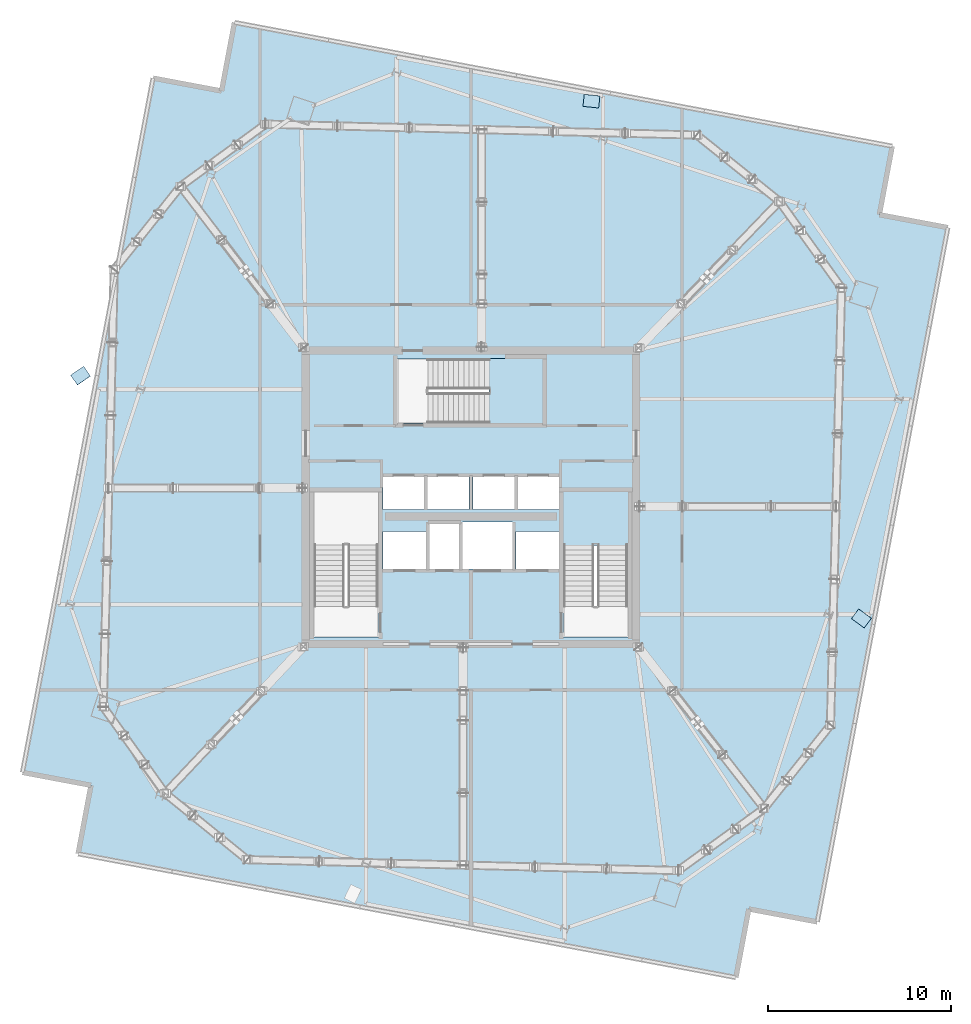
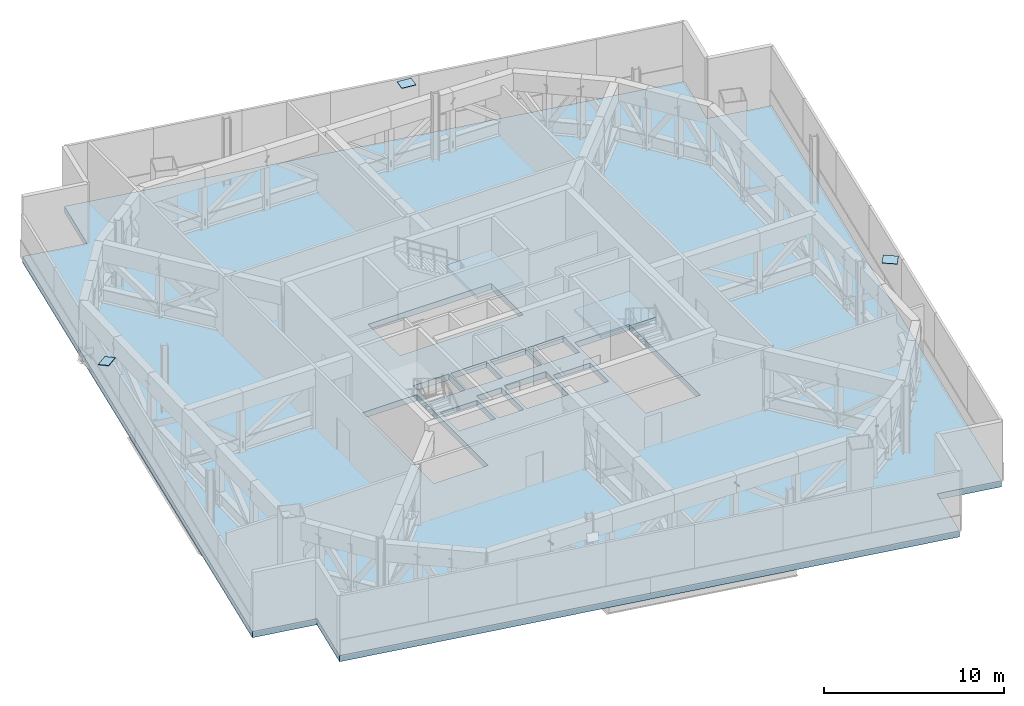
# One storey, part 6 of 15: 3 plates, 3 slabs, 2 elements without a shape of their own.
"""IFC4 building model written with IfcOpenShell, lengths in metres."""

from ifc_helpers import new_model, si_unit, direction, frame, origin, origin_2d, place, context, subcontext, project, spatial, polyline, rectangle, outline, extrude, source, transform, mapped, material, layer, layer_set, type_object, element, aggregate, save


model = new_model("IFC4")

# Units and contexts
model_context = context("Model", 3, precision=1e-05, world=origin(), true_north=direction((0.0, 1.0)))
body_context = subcontext(model_context, "Body", "Model", "MODEL_VIEW")
ifc_project = project(units=[si_unit("LENGTHUNIT", "METRE"), si_unit("AREAUNIT", "SQUARE_METRE"), si_unit("VOLUMEUNIT", "CUBIC_METRE"), si_unit("PLANEANGLEUNIT", "RADIAN"), si_unit("MASSUNIT", "GRAM", prefix="KILO")], contexts=[model_context])

# Site, building, storey
site_placement = place(None, origin())
site = spatial("IfcSite", under=ifc_project, at=site_placement, CompositionType="ELEMENT")
building_placement = place(site_placement, origin())
building = spatial("IfcBuilding", under=site, at=building_placement, Name="Haldenkirk Collegiate Tower", CompositionType="ELEMENT")
storey_placement = place(building_placement, frame((0.0, 0.0, 293.699951171875)))
storey = spatial("IfcBuildingStorey", under=building, at=storey_placement, Name="L74", CompositionType="ELEMENT", Elevation=293.699951171875)

# Slab
ifc_material_1 = material(Name="Concrete f'c 40 MPa", Category="concrete")
ifc_layer_1 = layer(ifc_material_1, 0.409912109375)
ifc_layer_set_1 = layer_set([ifc_layer_1], Name="Concrete f'c 40 MPa")
slab_type_1 = type_object("IfcSlabType", Name="SLB-FLR-410", PredefinedType="FLOOR", material=ifc_layer_set_1)
slab_1_placement = place(storey_placement, frame((0.0, 0.0, -0.409912109375)))
element("IfcSlab", 1, at=slab_1_placement, inside=storey, type_object=slab_type_1, Name="L74 composite structural floor slab", PredefinedType="FLOOR", context=body_context, shape_type="SweptSolid", body=[
    extrude(outline(polyline([(54.874267578125, 2.86328125), (61.989501953125, 40.7001953125), (58.2548828125, 41.40234375), (58.95703125, 45.136962890625), (23.1103515625, 51.8779296875), (22.408203125, 48.143310546875), (18.673583984375, 48.845703125), (11.55859375, 11.0087890625), (15.29296875, 10.306396484375), (14.5908203125, 6.572021484375), (50.4375, -0.1689453125), (51.1396484375, 3.565673828125), (54.874267578125, 2.86328125)]), holes=[polyline([(27.449951171875, 18.39990234375), (30.949951171875, 18.39990234375), (30.949951171875, 26.300048828125), (27.449951171875, 26.300048828125), (27.449951171875, 18.39990234375)]), polyline([(41.050048828125, 18.39990234375), (44.550048828125, 18.39990234375), (44.550048828125, 26.300048828125), (41.050048828125, 26.300048828125), (41.050048828125, 18.39990234375)]), polyline([(32.0, 30.050048828125), (39.89990234375, 30.050048828125), (39.89990234375, 33.550048828125), (32.0, 33.550048828125), (32.0, 30.050048828125)]), polyline([(33.75, 22.10009765625), (35.35009765625, 22.10009765625), (35.35009765625, 24.550048828125), (33.75, 24.550048828125), (33.75, 22.10009765625)]), polyline([(31.199951171875, 25.35009765625), (33.47998046875, 25.35009765625), (33.47998046875, 27.14990234375), (31.199951171875, 27.14990234375), (31.199951171875, 25.35009765625)]), polyline([(33.60009765625, 25.35009765625), (35.8798828125, 25.35009765625), (35.8798828125, 27.14990234375), (33.60009765625, 27.14990234375), (33.60009765625, 25.35009765625)]), polyline([(36.1201171875, 25.35009765625), (38.39990234375, 25.35009765625), (38.39990234375, 27.14990234375), (36.1201171875, 27.14990234375), (36.1201171875, 25.35009765625)]), polyline([(38.52001953125, 25.35009765625), (40.800048828125, 25.35009765625), (40.800048828125, 27.14990234375), (38.52001953125, 27.14990234375), (38.52001953125, 25.35009765625)]), polyline([(31.199951171875, 22.10009765625), (33.550048828125, 22.10009765625), (33.550048828125, 24.14990234375), (31.199951171875, 24.14990234375), (31.199951171875, 22.10009765625)]), polyline([(38.449951171875, 22.10009765625), (40.800048828125, 22.10009765625), (40.800048828125, 24.14990234375), (38.449951171875, 24.14990234375), (38.449951171875, 22.10009765625)]), polyline([(35.550048828125, 22.10009765625), (38.25, 22.10009765625), (38.25, 24.64990234375), (35.550048828125, 24.64990234375), (35.550048828125, 22.10009765625)])]), origin(), (0.0, 0.0, 1.0), 0.409912109375),
])

# Stair, slab
stair_type = type_object("IfcStairType", Name="STR-DOGLEG-1650", PredefinedType="HALF_TURN_STAIR", material=ifc_material_1)
stair_1_placement = place(storey_placement, origin())
stair_1 = element("IfcStair", 2, at=stair_1_placement, inside=storey, type_object=stair_type, Name="L74 Core Exit Stair ST-2", PredefinedType="HALF_TURN_STAIR")
ifc_layer_2 = layer(ifc_material_1, 0.199951171875)
ifc_layer_set_2 = layer_set([ifc_layer_2], Name="Concrete f'c 40 MPa")
slab_type_2 = type_object("IfcSlabType", Name="SLB-LANDING-200", PredefinedType="LANDING", material=ifc_layer_set_2)
slab_2_placement = place(storey_placement, frame((0.0, 0.0, 2.050048828125)))
slab_2 = element("IfcSlab", 3, at=slab_2_placement, type_object=slab_type_2, Name="ST-2 landing 1", PredefinedType="LANDING", context=body_context, shape_type="SweptSolid", body=[
    extrude(outline(polyline([(44.574951171875, 23.385009765625), (41.02490234375, 23.385009765625), (41.02490234375, 26.324951171875), (44.574951171875, 26.324951171875), (44.574951171875, 23.385009765625)])), origin(), (0.0, 0.0, 1.0), 0.199951171875),
])
aggregate(stair_1, [slab_2])

stair_2_placement = place(storey_placement, origin())
stair_2 = element("IfcStair", 4, at=stair_2_placement, inside=storey, type_object=stair_type, Name="L74 Core Exit Stair ST-3", PredefinedType="HALF_TURN_STAIR")
slab_3_placement = place(storey_placement, frame((0.0, 0.0, 2.050048828125)))
slab_3 = element("IfcSlab", 5, at=slab_3_placement, type_object=slab_type_2, Name="ST-3 landing 1", PredefinedType="LANDING", context=body_context, shape_type="SweptSolid", body=[
    extrude(outline(polyline([(36.985107421875, 30.02490234375), (36.985107421875, 33.574951171875), (39.925048828125, 33.574951171875), (39.925048828125, 30.02490234375), (36.985107421875, 30.02490234375)])), origin(), (0.0, 0.0, 1.0), 0.199951171875),
])
aggregate(stair_2, [slab_3])

# Plates
ifc_material_2 = material(Name="Steel ASTM A572 Grade 50", Category="steel")
ifc_layer_3 = layer(ifc_material_2, 0.034912109375)
ifc_layer_set_3 = layer_set([ifc_layer_3], Name="Steel ASTM A572 Grade 50")
plate_type = type_object("IfcPlateType", Name="PLT-CAP-EXT-760X600", PredefinedType="USERDEFINED", material=ifc_layer_set_3)
shared_shape = source(origin(), body_context, "Body", "SweptSolid", [
    extrude(rectangle(XDim=0.860107421875, YDim=0.659912109375, at=origin_2d()), origin(), (0.0, 0.0, 1.0), 0.034912109375),
])
for number, where, z_axis, x_axis, name in (
    (6, (57.28271484375, 19.40087890625, 4.087158203125), (-0.073461977787, -0.09911397003, 0.99236069993), (0.803387094888, -0.595457114969, 2.88475e-07), "Perimeter Mega Brace Z5 L73-L74 SL end cap plate 2"),
    (7, (42.566162109375, 47.592529296875, 4.087158203125), (-0.004490999631, -0.04320999645, 0.999055917919), (0.994642663645, -0.103372973533, 1.94199e-07), "Perimeter Mega Brace Z5 L73-L74 EL end cap plate 2"),
    (8, (14.72216796875, 32.626708984375, 4.087158203125), (-0.109061021388, 0.159592031297, 0.981140192409), (-0.825629178979, -0.564213132441, -4.2457e-08), "Perimeter Mega Brace Z5 L73-L74 NL end cap plate 2"),
):
    element("IfcPlate", number, at=place(storey_placement, frame(where, z_axis=z_axis, x_axis=x_axis)), inside=storey, type_object=plate_type, Name=name, ObjectType="END CAP PLATE", PredefinedType="USERDEFINED", context=body_context, shape_type="MappedRepresentation", body=[
        mapped(shared_shape, transform((0.0, 0.0, 0.0), x_axis=(1.0, 0.0, 0.0), y_axis=(0.0, 1.0, 0.0), z_axis=(0.0, 0.0, 1.0), scale=1.0)),
    ])

save(model, "model.ifc")
